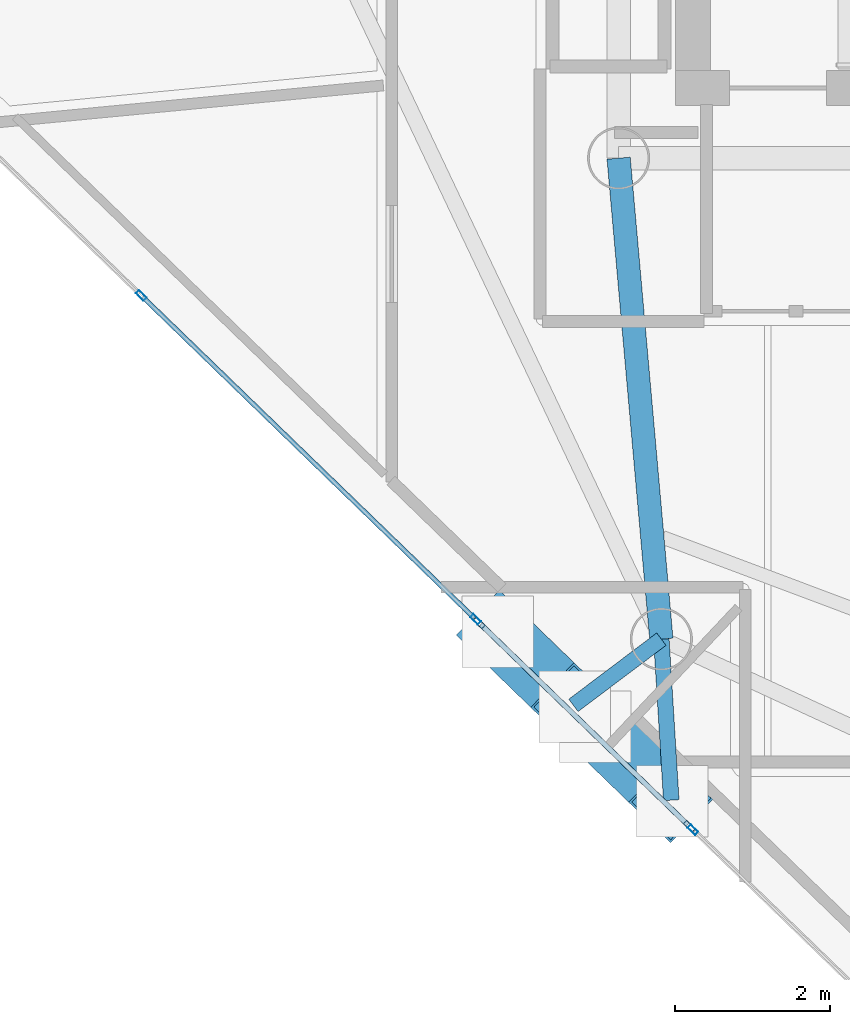
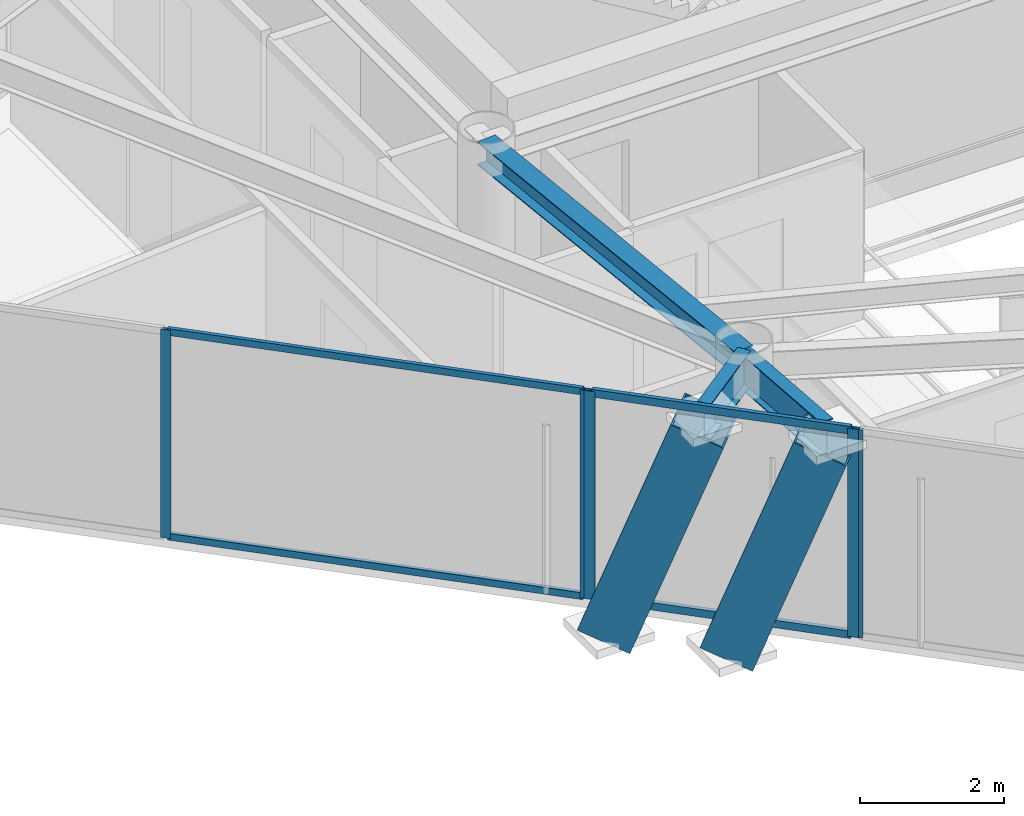
# One storey, part 3 of 19: 11 members, 3 beams, 3 elements without a shape of their own.
"""IFC4 building model written with IfcOpenShell, lengths in metres."""

from ifc_helpers import new_model, si_unit, direction, frame, origin, origin_2d, place, context, subcontext, project, spatial, hollow_rectangle, i_section, extrude, material, layer, layer_set, material_profile, profile_set, type_object, element, aggregate, save


model = new_model("IFC4")

# Units and contexts
model_context = context("Model", 3, precision=1e-05, world=origin(), true_north=direction((0.0, 1.0)))
body_context = subcontext(model_context, "Body", "Model", "MODEL_VIEW")
ifc_project = project(units=[si_unit("LENGTHUNIT", "METRE"), si_unit("AREAUNIT", "SQUARE_METRE"), si_unit("VOLUMEUNIT", "CUBIC_METRE"), si_unit("PLANEANGLEUNIT", "RADIAN"), si_unit("MASSUNIT", "GRAM", prefix="KILO")], contexts=[model_context])

# Site, building, storey
site_placement = place(None, origin())
site = spatial("IfcSite", under=ifc_project, at=site_placement, CompositionType="ELEMENT")
building_placement = place(site_placement, origin())
building = spatial("IfcBuilding", under=site, at=building_placement, Name="Qianvela Tower", CompositionType="ELEMENT")
storey_placement = place(building_placement, frame((0.0, 0.0, 344.39990234375)))
storey = spatial("IfcBuildingStorey", under=building, at=storey_placement, Name="L89", CompositionType="ELEMENT", Elevation=344.39990234375)

# Beams
ifc_material_1 = material(Name="Steel Q355B", Category="steel")
ifc_material_profile_1 = material_profile(ifc_material_1, i_section(OverallWidth=0.300048828125, OverallDepth=0.389892578125, WebThickness=0.010009765625, FlangeThickness=0.01611328125, at=origin_2d()), Name="HM390x300x10x16")
ifc_profile_set_1 = profile_set([ifc_material_profile_1], Name="Steel Q355B")
beam_type_1 = type_object("IfcBeamType", Name="BM-HM390-COLL", PredefinedType="BEAM", material=ifc_profile_set_1)
beam_1_placement = place(storey_placement, frame((28.60009765625, 23.85009765625, 3.322998046875), z_axis=(0.088501665624, -0.996076028816, 0.0), x_axis=(0.996076028816, 0.088501665624, 0.0)))
element("IfcBeam", 1, at=beam_1_placement, inside=storey, type_object=beam_type_1, Name="L89 Radial Primary Floor Girder 4", PredefinedType="BEAM", context=body_context, shape_type="SweptSolid", body=[
    extrude(i_section(OverallWidth=0.300048828125, OverallDepth=0.389892578125, WebThickness=0.010009765625, FlangeThickness=0.01611328125, at=origin_2d()), origin(), (0.0, 0.0, 1.0), 6.21240234375),
])
ifc_material_2 = material(Name="Steel Q355B", Category="steel")
ifc_material_profile_2 = material_profile(ifc_material_2, i_section(OverallWidth=0.199951171875, OverallDepth=0.60009765625, WebThickness=0.010986328125, FlangeThickness=0.01708984375, at=origin_2d()), Name="HN600x200x11x17")
ifc_profile_set_2 = profile_set([ifc_material_profile_2], Name="Steel Q355B")
beam_type_2 = type_object("IfcBeamType", Name="BM-HN600-GIRD", PredefinedType="BEAM", material=ifc_profile_set_2)
beam_2_placement = place(storey_placement, frame((29.14990234375, 17.662109375, 3.218017578125), z_axis=(-0.798695387877, -0.601735554362, 0.0), x_axis=(0.601735554362, -0.798695387877, 0.0)))
element("IfcBeam", 2, at=beam_2_placement, inside=storey, type_object=beam_type_2, Name="L89 Mega-Brace Column Tie Bracket F2-1", PredefinedType="BEAM", context=body_context, shape_type="SweptSolid", body=[
    extrude(i_section(OverallWidth=0.199951171875, OverallDepth=0.60009765625, WebThickness=0.010986328125, FlangeThickness=0.01708984375, at=origin_2d()), origin(), (0.0, 0.0, 1.0), 1.416748046875),
])
beam_3_placement = place(storey_placement, frame((29.14990234375, 17.662109375, 3.218017578125), z_axis=(0.061397031186, -0.998113422694, 0.0), x_axis=(0.998113422694, 0.061397031186, 0.0)))
element("IfcBeam", 3, at=beam_3_placement, inside=storey, type_object=beam_type_2, Name="L89 Mega-Brace Column Tie Bracket F2-2", PredefinedType="BEAM", context=body_context, shape_type="SweptSolid", body=[
    extrude(i_section(OverallWidth=0.199951171875, OverallDepth=0.60009765625, WebThickness=0.010986328125, FlangeThickness=0.01708984375, at=origin_2d()), origin(), (0.0, 0.0, 1.0), 2.07568359375),
])

# Curtain wall, members
ifc_material_3 = material(Name="Anodised Architectural Aluminium and Insulated Spandrel Panel", Category="aluminium")
ifc_layer_1 = layer(ifc_material_3, 0.179931640625)
ifc_layer_set_1 = layer_set([ifc_layer_1], Name="Anodised Architectural Aluminium and Insulated Spandrel Panel")
curtain_wall_type_1 = type_object("IfcCurtainWallType", Name="CW-BRACEBAY", PredefinedType="USERDEFINED", material=ifc_layer_set_1)
curtain_wall_1_placement = place(storey_placement, origin())
curtain_wall_1 = element("IfcCurtainWall", 4, at=curtain_wall_1_placement, inside=storey, type_object=curtain_wall_type_1, Name="L89 CW-BRACEBAY Curtain Wall 04B", ObjectType="CURTAIN_WALL_SYSTEM", PredefinedType="USERDEFINED")
ifc_material_4 = material(Name="Anodised Architectural Aluminium 6063-T6", Category="aluminium")
ifc_material_profile_3 = material_profile(ifc_material_4, hollow_rectangle(XDim=0.06494140625, YDim=0.159912109375, WallThickness=0.0048828125, at=origin_2d()), Name="ALU-MULL-65x160")
ifc_profile_set_3 = profile_set([ifc_material_profile_3], Name="Anodised Architectural Aluminium 6063-T6")
member_type_1 = type_object("IfcMemberType", Name="CW-BRACEBAY-MULL", PredefinedType="MULLION", material=ifc_profile_set_3)
member_1_placement = place(storey_placement, frame((26.8056640625, 17.872802734375, 0.0), z_axis=(0.0, 0.0, 1.0), x_axis=(0.695671035628, 0.71836050155, 0.0)))
member_1 = element("IfcMember", 5, at=member_1_placement, type_object=member_type_1, Name="CW-9 mullion 1", PredefinedType="MULLION", context=body_context, shape_type="SweptSolid", body=[
    extrude(hollow_rectangle(XDim=0.06494140625, YDim=0.159912109375, WallThickness=0.0048828125, at=origin_2d()), origin(), (0.0, 0.0, 1.0), 3.52001953125),
])
member_2_placement = place(storey_placement, frame((29.51025390625, 15.253662109375, 0.0), z_axis=(0.0, 0.0, 1.0), x_axis=(0.695671035628, 0.71836050155, 0.0)))
member_2 = element("IfcMember", 6, at=member_2_placement, type_object=member_type_1, Name="CW-9 mullion 2", PredefinedType="MULLION", context=body_context, shape_type="SweptSolid", body=[
    extrude(hollow_rectangle(XDim=0.06494140625, YDim=0.159912109375, WallThickness=0.0048828125, at=origin_2d()), origin(), (0.0, 0.0, 1.0), 3.52001953125),
])
ifc_material_5 = material(Name="Anodised Architectural Aluminium 6063-T6", Category="aluminium")
ifc_material_profile_4 = material_profile(ifc_material_5, hollow_rectangle(XDim=0.06494140625, YDim=0.1298828125, WallThickness=0.00439453125, at=origin_2d()), Name="ALU-TRAN-65x130")
ifc_profile_set_4 = profile_set([ifc_material_profile_4], Name="Anodised Architectural Aluminium 6063-T6")
member_type_2 = type_object("IfcMemberType", Name="CW-BRACEBAY-TRAN", PredefinedType="USERDEFINED", material=ifc_profile_set_4)
member_3_placement = place(storey_placement, frame((26.828857421875, 17.85009765625, 0.03271484375), z_axis=(0.718364898905, -0.695666494824, 0.0), x_axis=(0.695666494824, 0.718364898905, 0.0)))
member_3 = element("IfcMember", 7, at=member_3_placement, type_object=member_type_2, Name="CW-9 transom 1.1", ObjectType="TRANSOM", PredefinedType="USERDEFINED", context=body_context, shape_type="SweptSolid", body=[
    extrude(hollow_rectangle(XDim=0.06494140625, YDim=0.1298828125, WallThickness=0.00439453125, at=origin_2d()), origin(), (0.0, 0.0, 1.0), 3.699951171875),
])
member_4_placement = place(storey_placement, frame((26.828857421875, 17.85009765625, 3.487548828125), z_axis=(0.718364898905, -0.695666494824, 0.0), x_axis=(0.695666494824, 0.718364898905, 0.0)))
member_4 = element("IfcMember", 8, at=member_4_placement, type_object=member_type_2, Name="CW-9 transom 1.2", ObjectType="TRANSOM", PredefinedType="USERDEFINED", context=body_context, shape_type="SweptSolid", body=[
    extrude(hollow_rectangle(XDim=0.06494140625, YDim=0.1298828125, WallThickness=0.00439453125, at=origin_2d()), origin(), (0.0, 0.0, 1.0), 3.699951171875),
])
aggregate(curtain_wall_1, [member_1, member_2, member_3, member_4])

ifc_material_6 = material(Name="Anodised Architectural Aluminium and Low-E Glass", Category="aluminium")
ifc_layer_2 = layer(ifc_material_6, 0.14990234375)
ifc_layer_set_2 = layer_set([ifc_layer_2], Name="Anodised Architectural Aluminium and Low-E Glass")
curtain_wall_type_2 = type_object("IfcCurtainWallType", Name="CW-COLIV-Z78", PredefinedType="USERDEFINED", material=ifc_layer_set_2)
curtain_wall_2_placement = place(storey_placement, origin())
curtain_wall_2 = element("IfcCurtainWall", 9, at=curtain_wall_2_placement, inside=storey, type_object=curtain_wall_type_2, Name="L89 CW-COLIV-Z78 Curtain Wall 04A", ObjectType="CURTAIN_WALL_SYSTEM", PredefinedType="USERDEFINED")
ifc_material_7 = material(Name="Anodised Architectural Aluminium 6063-T6", Category="aluminium")
ifc_material_profile_5 = material_profile(ifc_material_7, hollow_rectangle(XDim=0.06005859375, YDim=0.139892578125, WallThickness=0.00439453125, at=origin_2d()), Name="ALU-MULL-60x140")
ifc_profile_set_5 = profile_set([ifc_material_profile_5], Name="Anodised Architectural Aluminium 6063-T6")
member_type_3 = type_object("IfcMemberType", Name="CW-COLIV-Z78-MULL", PredefinedType="MULLION", material=ifc_profile_set_5)
member_5_placement = place(storey_placement, frame((22.45751953125, 22.083251953125, 0.0), z_axis=(0.0, 0.0, 1.0), x_axis=(0.695657559148, 0.71837355213, 0.0)))
member_5 = element("IfcMember", 10, at=member_5_placement, type_object=member_type_3, Name="CW-6 mullion 2", PredefinedType="MULLION", context=body_context, shape_type="SweptSolid", body=[
    extrude(hollow_rectangle(XDim=0.06005859375, YDim=0.139892578125, WallThickness=0.00439453125, at=origin_2d()), origin(), (0.0, 0.0, 1.0), 3.52001953125),
])
member_6_placement = place(storey_placement, frame((26.7607421875, 17.916259765625, 0.0), z_axis=(0.0, 0.0, 1.0), x_axis=(0.695657559148, 0.71837355213, 0.0)))
member_6 = element("IfcMember", 11, at=member_6_placement, type_object=member_type_3, Name="CW-6 mullion 3", PredefinedType="MULLION", context=body_context, shape_type="SweptSolid", body=[
    extrude(hollow_rectangle(XDim=0.06005859375, YDim=0.139892578125, WallThickness=0.00439453125, at=origin_2d()), origin(), (0.0, 0.0, 1.0), 3.52001953125),
])

# Curtain wall, member
curtain_wall_3_placement = place(storey_placement, origin())
curtain_wall_3 = element("IfcCurtainWall", 12, at=curtain_wall_3_placement, inside=storey, type_object=curtain_wall_type_2, Name="L89 CW-COLIV-Z78 Curtain Wall 04C", ObjectType="CURTAIN_WALL_SYSTEM", PredefinedType="USERDEFINED")
member_7_placement = place(storey_placement, frame((29.554931640625, 15.210205078125, 0.0), z_axis=(0.0, 0.0, 1.0), x_axis=(0.695659386156, 0.71837178289, 0.0)))
member_7 = element("IfcMember", 13, at=member_7_placement, type_object=member_type_3, Name="CW-6 mullion 1", PredefinedType="MULLION", context=body_context, shape_type="SweptSolid", body=[
    extrude(hollow_rectangle(XDim=0.06005859375, YDim=0.139892578125, WallThickness=0.00439453125, at=origin_2d()), origin(), (0.0, 0.0, 1.0), 3.52001953125),
])
aggregate(curtain_wall_3, [member_7])

# Member
ifc_material_8 = material(Name="Anodised Architectural Aluminium 6063-T6", Category="aluminium")
ifc_material_profile_6 = material_profile(ifc_material_8, hollow_rectangle(XDim=0.06005859375, YDim=0.114990234375, WallThickness=0.00390625, at=origin_2d()), Name="ALU-TRAN-60x115")
ifc_profile_set_6 = profile_set([ifc_material_profile_6], Name="Anodised Architectural Aluminium 6063-T6")
member_type_4 = type_object("IfcMemberType", Name="CW-COLIV-Z78-TRAN", PredefinedType="USERDEFINED", material=ifc_profile_set_6)
member_8_placement = place(storey_placement, frame((22.479248046875, 22.0625, 0.030029296875), z_axis=(0.718358520539, -0.695673081245, 0.0), x_axis=(0.695673081245, 0.718358520539, 0.0)))
member_8 = element("IfcMember", 14, at=member_8_placement, type_object=member_type_4, Name="CW-6 transom 2.1", ObjectType="TRANSOM", PredefinedType="USERDEFINED", context=body_context, shape_type="SweptSolid", body=[
    extrude(hollow_rectangle(XDim=0.06005859375, YDim=0.114990234375, WallThickness=0.00390625, at=origin_2d()), origin(), (0.0, 0.0, 1.0), 5.929931640625),
])

member_9_placement = place(storey_placement, frame((22.479248046875, 22.0625, 3.489990234375), z_axis=(0.718358520539, -0.695673081245, 0.0), x_axis=(0.695673081245, 0.718358520539, 0.0)))
member_9 = element("IfcMember", 15, at=member_9_placement, type_object=member_type_4, Name="CW-6 transom 2.2", ObjectType="TRANSOM", PredefinedType="USERDEFINED", context=body_context, shape_type="SweptSolid", body=[
    extrude(hollow_rectangle(XDim=0.06005859375, YDim=0.114990234375, WallThickness=0.00390625, at=origin_2d()), origin(), (0.0, 0.0, 1.0), 5.929931640625),
])

aggregate(curtain_wall_2, [member_5, member_6, member_8, member_9])

# Members
ifc_material_9 = material(Name="Steel Q420GJC", Category="steel")
ifc_material_profile_7 = material_profile(ifc_material_9, hollow_rectangle(XDim=0.800048828125, YDim=0.800048828125, WallThickness=0.028076171875, at=origin_2d()), Name="MBOX-800x800x28")
ifc_profile_set_7 = profile_set([ifc_material_profile_7], Name="Steel Q420GJC")
member_type_5 = type_object("IfcMemberType", Name="MBR-MBRACE-800", PredefinedType="BRACE", material=ifc_profile_set_7)
for number, where, z_axis, x_axis, name in (
    (16, (27.05810546875, 17.739501953125, -0.48193359375), (0.244078176934, -0.236382856838, 0.940504645676), (0.695692154952, 0.718340048681, 0.0), "L89 Tier 15 Exterior Mega-Brace F2A"),
    (17, (28.31689453125, 16.5205078125, -0.48193359375), (0.244132955836, -0.23643786521, 0.940476600331), (0.695695125598, 0.718337171681, 0.0), "L89 Tier 15 Exterior Mega-Brace F2B"),
):
    element("IfcMember", number, at=place(storey_placement, frame(where, z_axis=z_axis, x_axis=x_axis)), inside=storey, type_object=member_type_5, Name=name, PredefinedType="BRACE", context=body_context, shape_type="SweptSolid", body=[
        extrude(hollow_rectangle(XDim=0.800048828125, YDim=0.800048828125, WallThickness=0.028076171875, at=origin_2d()), origin(), (0.0, 0.0, 1.0), 3.93408203125),
    ])

save(model, "model.ifc")
